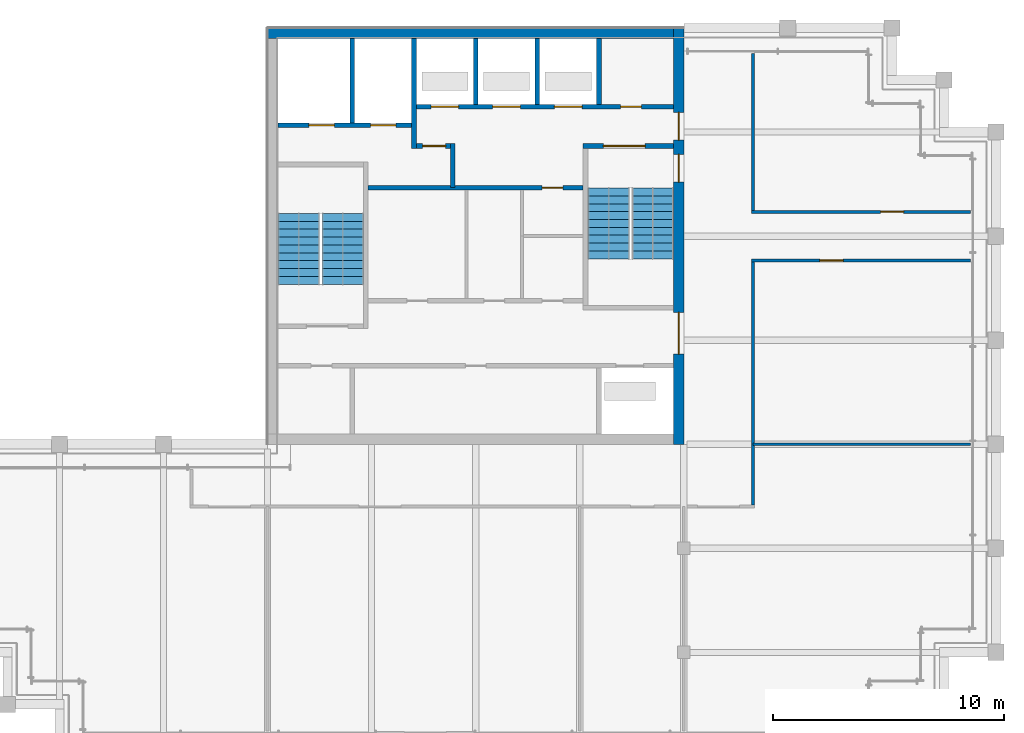
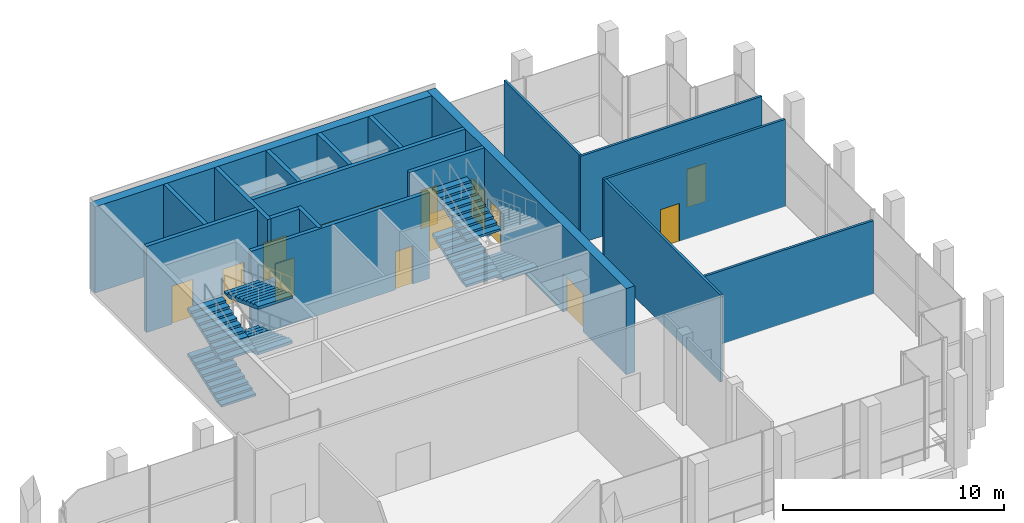
# One storey, part 12 of 14: 18 walls, 14 doors, 7 stair flights, 14 openings, 2 elements without a shape of their own.
"""IFC4 building model written with IfcOpenShell, lengths in metres."""

from ifc_helpers import new_model, si_unit, direction, frame, frame_2d, origin, place, context, subcontext, project, spatial, polyline, rectangle, outline, extrude, material, layer, layer_set, type_object, element, fill, aggregate, save


model = new_model("IFC4")

# Units and contexts
model_context = context("Model", 3, precision=1e-05, world=origin(), true_north=direction((0.0, 1.0)))
body_context = subcontext(model_context, "Body", "Model", "MODEL_VIEW")
ifc_project = project(units=[si_unit("LENGTHUNIT", "METRE"), si_unit("AREAUNIT", "SQUARE_METRE"), si_unit("VOLUMEUNIT", "CUBIC_METRE"), si_unit("PLANEANGLEUNIT", "RADIAN"), si_unit("MASSUNIT", "GRAM", prefix="KILO")], contexts=[model_context])

# Site, building, storey
site_placement = place(None, origin())
site = spatial("IfcSite", under=ifc_project, at=site_placement, CompositionType="ELEMENT")
building_placement = place(site_placement, origin())
building = spatial("IfcBuilding", under=site, at=building_placement, Name="Altepetl Exchange Towers", CompositionType="ELEMENT")
storey_placement = place(building_placement, frame((0.0, 0.0, 269.60009765625)))
storey = spatial("IfcBuildingStorey", under=building, at=storey_placement, Name="L68 Observation gallery", CompositionType="ELEMENT", Elevation=269.60009765625)

# Wall, openings, doors
ifc_material_1 = material(Name="Concrete C70/85", Category="concrete")
ifc_layer_1 = layer(ifc_material_1, 0.449951171875)
ifc_layer_set_1 = layer_set([ifc_layer_1], Name="Concrete C70/85")
wall_type_1 = type_object("IfcWallType", Name="Core wall 450 reinforced concrete", PredefinedType="SHEAR", material=ifc_layer_set_1)
wall_1_placement = place(storey_placement, frame((58.27490234375, 40.5, 0.0), z_axis=(0.0, 0.0, 1.0), x_axis=(0.0, 1.0, 0.0)))
wall_1 = element("IfcWall", 1, at=wall_1_placement, inside=storey, type_object=wall_type_1, Name="wall:A:L68:K-coreE", PredefinedType="SHEAR", context=body_context, shape_type="SweptSolid", body=[
    extrude(rectangle(XDim=18.0, YDim=0.449951171875, at=frame_2d((9.0, 0.0))), origin(), (0.0, 0.0, 1.0), 4.75),
])
opening_1_placement = place(wall_1_placement, frame((13.14990234375, 0.0, 0.0)))
opening_1 = element("IfcOpeningElement", 2, at=opening_1_placement, cuts=wall_1, Name="Opening L68.A60", PredefinedType="OPENING", context=body_context, shape_type="SweptSolid", body=[
    extrude(rectangle(XDim=1.199951171875, YDim=2.10009765625, at=frame_2d((0.60009765625, 1.050048828125))), frame((0.0, 0.23486328125, 0.0), z_axis=(0.0, -1.0, 0.0), x_axis=(1.0, 0.0, 0.0)), (0.0, 0.0, 1.0), 0.469970703125),
])
opening_2_placement = place(wall_1_placement, frame((3.89990234375, 0.0, 0.0)))
opening_2 = element("IfcOpeningElement", 3, at=opening_2_placement, cuts=wall_1, Name="Opening L68.A61", PredefinedType="OPENING", context=body_context, shape_type="SweptSolid", body=[
    extrude(rectangle(XDim=1.800048828125, YDim=2.10009765625, at=frame_2d((0.89990234375, 1.050048828125))), frame((0.0, 0.23486328125, 0.0), z_axis=(0.0, -1.0, 0.0), x_axis=(1.0, 0.0, 0.0)), (0.0, 0.0, 1.0), 0.469970703125),
])
opening_3_placement = place(wall_1_placement, frame((11.340087890625, 0.0, 0.0)))
opening_3 = element("IfcOpeningElement", 4, at=opening_3_placement, cuts=wall_1, Name="Opening L68.A64", PredefinedType="OPENING", context=body_context, shape_type="SweptSolid", body=[
    extrude(rectangle(XDim=1.199951171875, YDim=2.10009765625, at=frame_2d((0.60009765625, 1.050048828125))), frame((0.0, 0.23486328125, 0.0), z_axis=(0.0, -1.0, 0.0), x_axis=(1.0, 0.0, 0.0)), (0.0, 0.0, 1.0), 0.469970703125),
])
ifc_material_2 = material(Name="Steel and timber fire door", Category="steel")
door_type_1 = type_object("IfcDoorType", Name="Fire door 1200 x 2100 lobby entry", OperationType="SINGLE_SWING_LEFT", PredefinedType="DOOR", material=ifc_material_2)
door_1_placement = place(opening_1_placement, origin())
door_1 = element("IfcDoor", 5, at=door_1_placement, inside=storey, type_object=door_type_1, Name="door:A:L68:K-dLNE", OperationType="SINGLE_SWING_RIGHT", OverallHeight=2.10009765625, OverallWidth=1.199951171875, PredefinedType="DOOR", context=body_context, shape_type="SweptSolid", body=[
    extrude(rectangle(XDim=1.199951171875, YDim=2.10009765625, at=frame_2d((0.60009765625, 1.050048828125))), frame((0.0, 0.02490234375, 0.0), z_axis=(0.0, -1.0, 0.0), x_axis=(1.0, 0.0, 0.0)), (0.0, 0.0, 1.0), 0.050048828125),
])
fill(opening_1, door_1)
door_type_2 = type_object("IfcDoorType", Name="Fire door 1200 x 2100 stair exit", OperationType="SINGLE_SWING_LEFT", PredefinedType="DOOR", material=ifc_material_2)
door_2_placement = place(opening_3_placement, origin())
door_2 = element("IfcDoor", 6, at=door_2_placement, inside=storey, type_object=door_type_2, Name="door:A:L68:K-dS2x", OperationType="SINGLE_SWING_RIGHT", OverallHeight=2.10009765625, OverallWidth=1.199951171875, PredefinedType="DOOR", context=body_context, shape_type="SweptSolid", body=[
    extrude(rectangle(XDim=1.199951171875, YDim=2.10009765625, at=frame_2d((0.60009765625, 1.050048828125))), frame((0.0, 0.02490234375, 0.0), z_axis=(0.0, -1.0, 0.0), x_axis=(1.0, 0.0, 0.0)), (0.0, 0.0, 1.0), 0.050048828125),
])
fill(opening_3, door_2)
door_type_3 = type_object("IfcDoorType", Name="Fire door 1800 x 2100 lobby entry", OperationType="DOUBLE_DOOR_SINGLE_SWING", PredefinedType="DOOR", material=ifc_material_2)
door_3_placement = place(opening_2_placement, origin())
door_3 = element("IfcDoor", 7, at=door_3_placement, inside=storey, type_object=door_type_3, Name="door:A:L68:K-dLSE", OperationType="DOUBLE_DOOR_SINGLE_SWING", OverallHeight=2.10009765625, OverallWidth=1.800048828125, PredefinedType="DOOR", context=body_context, shape_type="SweptSolid", body=[
    extrude(rectangle(XDim=1.800048828125, YDim=2.10009765625, at=frame_2d((0.89990234375, 1.050048828125))), frame((0.0, 0.02490234375, 0.0), z_axis=(0.0, -1.0, 0.0), x_axis=(1.0, 0.0, 0.0)), (0.0, 0.0, 1.0), 0.050048828125),
])
fill(opening_2, door_3)

# Walls
ifc_layer_2 = layer(ifc_material_1, 0.449951171875)
ifc_layer_set_2 = layer_set([ifc_layer_2], Name="Concrete C70/85")
wall_type_2 = type_object("IfcWallType", Name="Core wall 450 reinforced concrete external", PredefinedType="SHEAR", material=ifc_layer_set_2)
wall_2_placement = place(storey_placement, frame((40.5, 58.27490234375, 0.0)))
element("IfcWall", 8, at=wall_2_placement, inside=storey, type_object=wall_type_2, Name="wall:A:L68:K-coreN", PredefinedType="SHEAR", context=body_context, shape_type="SweptSolid", body=[
    extrude(rectangle(XDim=17.550048828125, YDim=0.449951171875, at=frame_2d((8.77490234375, 0.0))), origin(), (0.0, 0.0, 1.0), 4.75),
])
ifc_material_3 = material(Name="Concrete blockwork", Category="masonry")
ifc_layer_3 = layer(ifc_material_3, 0.199951171875)
ifc_layer_set_3 = layer_set([ifc_layer_3], Name="Concrete blockwork")
wall_type_3 = type_object("IfcWallType", Name="Lobby wall 200 blockwork", PredefinedType="PARTITIONING", material=ifc_layer_set_3)
wall_3_placement = place(storey_placement, frame((48.5, 51.60009765625, 0.0), z_axis=(0.0, 0.0, 1.0), x_axis=(0.0, 1.0, 0.0)))
element("IfcWall", 9, at=wall_3_placement, inside=storey, type_object=wall_type_3, Name="wall:A:L68:K-ffE", PredefinedType="PARTITIONING", context=body_context, shape_type="SweptSolid", body=[
    extrude(rectangle(XDim=1.89990234375, YDim=0.199951171875, at=frame_2d((0.949951171875, 0.0))), origin(), (0.0, 0.0, 1.0), 4.75),
])

# Wall, opening, door
wall_4_placement = place(storey_placement, frame((46.933349609375, 53.39990234375, 0.0)))
wall_4 = element("IfcWall", 10, at=wall_4_placement, inside=storey, type_object=wall_type_3, Name="wall:A:L68:K-ffN", PredefinedType="PARTITIONING", context=body_context, shape_type="SweptSolid", body=[
    extrude(rectangle(XDim=1.466552734375, YDim=0.199951171875, at=frame_2d((0.7333984375, 0.0))), origin(), (0.0, 0.0, 1.0), 4.75),
])
opening_4_placement = place(wall_4_placement, frame((0.2666015625, 0.0, 0.0)))
opening_4 = element("IfcOpeningElement", 11, at=opening_4_placement, cuts=wall_4, Name="Opening L68.A65", PredefinedType="OPENING", context=body_context, shape_type="SweptSolid", body=[
    extrude(rectangle(XDim=1.0, YDim=2.10009765625, at=frame_2d((0.5, 1.050048828125))), frame((0.0, 0.10986328125, 0.0), z_axis=(0.0, -1.0, 0.0), x_axis=(1.0, 0.0, 0.0)), (0.0, 0.0, 1.0), 0.219970703125),
])
door_type_4 = type_object("IfcDoorType", Name="Fire door 1000 x 2100 stair and lobby", OperationType="SINGLE_SWING_LEFT", PredefinedType="DOOR", material=ifc_material_2)
door_4_placement = place(opening_4_placement, frame((1.0, 0.0, 0.0), x_axis=(-1.0, 0.0, 0.0)))
door_4 = element("IfcDoor", 12, at=door_4_placement, inside=storey, type_object=door_type_4, Name="door:A:L68:K-dffN", OperationType="SINGLE_SWING_RIGHT", OverallHeight=2.10009765625, OverallWidth=1.0, PredefinedType="DOOR", context=body_context, shape_type="SweptSolid", body=[
    extrude(rectangle(XDim=1.0, YDim=2.10009765625, at=frame_2d((0.5, 1.050048828125))), frame((0.0, 0.02490234375, 0.0), z_axis=(0.0, -1.0, 0.0), x_axis=(1.0, 0.0, 0.0)), (0.0, 0.0, 1.0), 0.050048828125),
])
fill(opening_4, door_4)

wall_5_placement = place(storey_placement, frame((44.85009765625, 51.60009765625, 0.0)))
wall_5 = element("IfcWall", 13, at=wall_5_placement, inside=storey, type_object=wall_type_3, Name="wall:A:L68:K-zoneN", PredefinedType="PARTITIONING", context=body_context, shape_type="SweptSolid", body=[
    extrude(rectangle(XDim=9.2998046875, YDim=0.199951171875, at=frame_2d((4.64990234375, 0.0))), origin(), (0.0, 0.0, 1.0), 4.75),
])
opening_5_placement = place(wall_5_placement, frame((7.52490234375, 0.0, 0.0)))
opening_5 = element("IfcOpeningElement", 14, at=opening_5_placement, cuts=wall_5, Name="Opening L68.A71", PredefinedType="OPENING", context=body_context, shape_type="SweptSolid", body=[
    extrude(rectangle(XDim=0.89990234375, YDim=2.10009765625, at=frame_2d((0.449951171875, 1.050048828125))), frame((0.0, 0.10986328125, 0.0), z_axis=(0.0, -1.0, 0.0), x_axis=(1.0, 0.0, 0.0)), (0.0, 0.0, 1.0), 0.219970703125),
])
door_type_5 = type_object("IfcDoorType", Name="Fire door 900 x 2100 service room", OperationType="SINGLE_SWING_LEFT", PredefinedType="DOOR", material=ifc_material_2)
door_5_placement = place(opening_5_placement, frame((0.89990234375, 0.0, 0.0), x_axis=(-1.0, 0.0, 0.0)))
door_5 = element("IfcDoor", 15, at=door_5_placement, inside=storey, type_object=door_type_5, Name="door:A:L68:K-dz3", OperationType="SINGLE_SWING_LEFT", OverallHeight=2.10009765625, OverallWidth=0.89990234375, PredefinedType="DOOR", context=body_context, shape_type="SweptSolid", body=[
    extrude(rectangle(XDim=0.89990234375, YDim=2.10009765625, at=frame_2d((0.449951171875, 1.050048828125))), frame((0.0, 0.02490234375, 0.0), z_axis=(0.0, -1.0, 0.0), x_axis=(1.0, 0.0, 0.0)), (0.0, 0.0, 1.0), 0.050048828125),
])
fill(opening_5, door_5)

# Wall
ifc_material_4 = material(Name="Gypsum board on steel studs", Category="steel")
ifc_layer_4 = layer(ifc_material_4, 0.125)
ifc_layer_set_4 = layer_set([ifc_layer_4], Name="Gypsum board on steel studs")
wall_type_4 = type_object("IfcWallType", Name="Partition 125 gypsum board on steel studs", PredefinedType="PARTITIONING", material=ifc_layer_set_4)
wall_6_placement = place(storey_placement, frame((61.5, 40.5, 0.0)))
element("IfcWall", 16, at=wall_6_placement, inside=storey, type_object=wall_type_4, Name="wall:A:L68:P02", PredefinedType="PARTITIONING", context=body_context, shape_type="SweptSolid", body=[
    extrude(rectangle(XDim=9.39990234375, YDim=0.125, at=frame_2d((4.699951171875, 0.0))), origin(), (0.0, 0.0, 1.0), 4.0419921875),
])

# Wall, opening, door
wall_7_placement = place(storey_placement, frame((61.4375, 48.449951171875, 0.0)))
wall_7 = element("IfcWall", 17, at=wall_7_placement, inside=storey, type_object=wall_type_4, Name="wall:A:L68:P03", PredefinedType="PARTITIONING", context=body_context, shape_type="SweptSolid", body=[
    extrude(rectangle(XDim=9.46240234375, YDim=0.125, at=frame_2d((4.731201171875, 0.0))), origin(), (0.0, 0.0, 1.0), 4.7998046875),
])
opening_6_placement = place(wall_7_placement, frame((2.950439453125, 0.0, 0.0)))
opening_6 = element("IfcOpeningElement", 18, at=opening_6_placement, cuts=wall_7, Name="Opening L68.A05", PredefinedType="OPENING", context=body_context, shape_type="SweptSolid", body=[
    extrude(rectangle(XDim=1.0, YDim=2.10009765625, at=frame_2d((0.5, 1.050048828125))), frame((0.0, 0.072509765625, 0.0), z_axis=(0.0, -1.0, 0.0), x_axis=(1.0, 0.0, 0.0)), (0.0, 0.0, 1.0), 0.14501953125),
])
door_type_6 = type_object("IfcDoorType", Name="Fire door 1000 x 2100 single leaf", OperationType="SINGLE_SWING_LEFT", PredefinedType="DOOR", material=ifc_material_2)
door_6_placement = place(opening_6_placement, frame((1.0, 0.0, 0.0), x_axis=(-1.0, 0.0, 0.0)))
door_6 = element("IfcDoor", 19, at=door_6_placement, inside=storey, type_object=door_type_6, Name="door:A:L68:05", OperationType="SINGLE_SWING_LEFT", OverallHeight=2.10009765625, OverallWidth=1.0, PredefinedType="DOOR", context=body_context, shape_type="SweptSolid", body=[
    extrude(rectangle(XDim=1.0, YDim=2.10009765625, at=frame_2d((0.5, 1.050048828125))), frame((0.0, 0.02490234375, 0.0), z_axis=(0.0, -1.0, 0.0), x_axis=(1.0, 0.0, 0.0)), (0.0, 0.0, 1.0), 0.050048828125),
])
fill(opening_6, door_6)

wall_8_placement = place(storey_placement, frame((61.4375, 50.550048828125, 0.0)))
wall_8 = element("IfcWall", 20, at=wall_8_placement, inside=storey, type_object=wall_type_4, Name="wall:A:L68:P04", PredefinedType="PARTITIONING", context=body_context, shape_type="SweptSolid", body=[
    extrude(rectangle(XDim=9.46240234375, YDim=0.125, at=frame_2d((4.731201171875, 0.0))), origin(), (0.0, 0.0, 1.0), 4.7998046875),
])
opening_7_placement = place(wall_8_placement, frame((5.575439453125, 0.0, 0.0)))
opening_7 = element("IfcOpeningElement", 21, at=opening_7_placement, cuts=wall_8, Name="Opening L68.A06", PredefinedType="OPENING", context=body_context, shape_type="SweptSolid", body=[
    extrude(rectangle(XDim=1.0, YDim=2.10009765625, at=frame_2d((0.5, 1.050048828125))), frame((0.0, 0.072509765625, 0.0), z_axis=(0.0, -1.0, 0.0), x_axis=(1.0, 0.0, 0.0)), (0.0, 0.0, 1.0), 0.14501953125),
])
door_7_placement = place(opening_7_placement, origin())
door_7 = element("IfcDoor", 22, at=door_7_placement, inside=storey, type_object=door_type_6, Name="door:A:L68:06", OperationType="SINGLE_SWING_RIGHT", OverallHeight=2.10009765625, OverallWidth=1.0, PredefinedType="DOOR", context=body_context, shape_type="SweptSolid", body=[
    extrude(rectangle(XDim=1.0, YDim=2.10009765625, at=frame_2d((0.5, 1.050048828125))), frame((0.0, 0.02490234375, 0.0), z_axis=(0.0, -1.0, 0.0), x_axis=(1.0, 0.0, 0.0)), (0.0, 0.0, 1.0), 0.050048828125),
])
fill(opening_7, door_7)

# Walls
wall_9_placement = place(storey_placement, frame((61.5, 37.862548828125, 0.0), z_axis=(0.0, 0.0, 1.0), x_axis=(0.0, 1.0, 0.0)))
element("IfcWall", 23, at=wall_9_placement, inside=storey, type_object=wall_type_4, Name="wall:A:L68:P11", PredefinedType="PARTITIONING", context=body_context, shape_type="SweptSolid", body=[
    extrude(rectangle(XDim=10.52490234375, YDim=0.125, at=frame_2d((5.262451171875, 0.0))), origin(), (0.0, 0.0, 1.0), 4.7998046875),
])
wall_10_placement = place(storey_placement, frame((61.5, 50.612548828125, 0.0), z_axis=(0.0, 0.0, 1.0), x_axis=(0.0, 1.0, 0.0)))
element("IfcWall", 24, at=wall_10_placement, inside=storey, type_object=wall_type_4, Name="wall:A:L68:P12", PredefinedType="PARTITIONING", context=body_context, shape_type="SweptSolid", body=[
    extrude(rectangle(XDim=6.787353515625, YDim=0.125, at=frame_2d((3.3935546875, 0.0))), origin(), (0.0, 0.0, 1.0), 4.7998046875),
])
ifc_material_5 = material(Name="Concrete C40/50", Category="concrete")
ifc_layer_5 = layer(ifc_material_5, 0.199951171875)
ifc_layer_set_5 = layer_set([ifc_layer_5], Name="Concrete C40/50")
wall_type_5 = type_object("IfcWallType", Name="Shaft wall 200 reinforced concrete", PredefinedType="SHEAR", material=ifc_layer_set_5)
wall_11_placement = place(storey_placement, frame((44.166748046875, 58.050048828125, 0.0), z_axis=(0.0, 0.0, 1.0), x_axis=(0.0, -1.0, 0.0)))
element("IfcWall", 25, at=wall_11_placement, inside=storey, type_object=wall_type_5, Name="wall:A:L68:K-divN1", PredefinedType="SHEAR", context=body_context, shape_type="SweptSolid", body=[
    extrude(rectangle(XDim=3.650146484375, YDim=0.199951171875, at=frame_2d((1.8251953125, 0.0))), origin(), (0.0, 0.0, 1.0), 4.75),
])
wall_12_placement = place(storey_placement, frame((46.833251953125, 58.050048828125, 0.0), z_axis=(0.0, 0.0, 1.0), x_axis=(0.0, -1.0, 0.0)))
element("IfcWall", 26, at=wall_12_placement, inside=storey, type_object=wall_type_5, Name="wall:A:L68:K-divN2", PredefinedType="SHEAR", context=body_context, shape_type="SweptSolid", body=[
    extrude(rectangle(XDim=4.75, YDim=0.199951171875, at=frame_2d((2.375, 0.0))), origin(), (0.0, 0.0, 1.0), 4.75),
])
for number, where, z_axis, x_axis, name in (
    (27, (49.5, 58.050048828125, 0.0), (0.0, 0.0, 1.0), (0.0, -1.0, 0.0), "wall:A:L68:K-divN3"),
    (28, (52.166748046875, 58.050048828125, 0.0), (0.0, 0.0, 1.0), (0.0, -1.0, 0.0), "wall:A:L68:K-divN4"),
    (29, (54.833251953125, 58.050048828125, 0.0), (0.0, 0.0, 1.0), (0.0, -1.0, 0.0), "wall:A:L68:K-divN5"),
):
    element("IfcWall", number, at=place(storey_placement, frame(where, z_axis=z_axis, x_axis=x_axis)), inside=storey, type_object=wall_type_5, Name=name, PredefinedType="SHEAR", context=body_context, shape_type="SweptSolid", body=[
        extrude(rectangle(XDim=2.85009765625, YDim=0.199951171875, at=frame_2d((1.425048828125, 0.0))), origin(), (0.0, 0.0, 1.0), 4.75),
    ])

# Wall, openings, doors
wall_13_placement = place(storey_placement, frame((46.933349609375, 55.10009765625, 0.0)))
wall_13 = element("IfcWall", 30, at=wall_13_placement, inside=storey, type_object=wall_type_5, Name="wall:A:L68:K-frontNb", PredefinedType="SHEAR", context=body_context, shape_type="SweptSolid", body=[
    extrude(rectangle(XDim=11.11669921875, YDim=0.199951171875, at=frame_2d((5.558349609375, 0.0))), origin(), (0.0, 0.0, 1.0), 4.75),
])
opening_8_placement = place(wall_13_placement, frame((8.83349609375, 0.0, 0.0)))
opening_8 = element("IfcOpeningElement", 31, at=opening_8_placement, cuts=wall_13, Name="Opening L68.A66", PredefinedType="OPENING", context=body_context, shape_type="SweptSolid", body=[
    extrude(rectangle(XDim=0.89990234375, YDim=2.10009765625, at=frame_2d((0.449951171875, 1.050048828125))), frame((0.0, 0.10986328125, 0.0), z_axis=(0.0, -1.0, 0.0), x_axis=(1.0, 0.0, 0.0)), (0.0, 0.0, 1.0), 0.219970703125),
])
opening_9_placement = place(wall_13_placement, frame((0.63330078125, 0.0, 0.0)))
opening_9 = element("IfcOpeningElement", 32, at=opening_9_placement, cuts=wall_13, Name="Opening L68.A76", PredefinedType="OPENING", context=body_context, shape_type="SweptSolid", body=[
    extrude(rectangle(XDim=1.199951171875, YDim=2.10009765625, at=frame_2d((0.60009765625, 1.050048828125))), frame((0.0, 0.10986328125, 0.0), z_axis=(0.0, -1.0, 0.0), x_axis=(1.0, 0.0, 0.0)), (0.0, 0.0, 1.0), 0.219970703125),
])
opening_10_placement = place(wall_13_placement, frame((3.300048828125, 0.0, 0.0)))
opening_10 = element("IfcOpeningElement", 33, at=opening_10_placement, cuts=wall_13, Name="Opening L68.A77", PredefinedType="OPENING", context=body_context, shape_type="SweptSolid", body=[
    extrude(rectangle(XDim=1.199951171875, YDim=2.10009765625, at=frame_2d((0.60009765625, 1.050048828125))), frame((0.0, 0.10986328125, 0.0), z_axis=(0.0, -1.0, 0.0), x_axis=(1.0, 0.0, 0.0)), (0.0, 0.0, 1.0), 0.219970703125),
])
opening_11_placement = place(wall_13_placement, frame((5.966796875, 0.0, 0.0)))
opening_11 = element("IfcOpeningElement", 34, at=opening_11_placement, cuts=wall_13, Name="Opening L68.A78", PredefinedType="OPENING", context=body_context, shape_type="SweptSolid", body=[
    extrude(rectangle(XDim=1.199951171875, YDim=2.10009765625, at=frame_2d((0.60009765625, 1.050048828125))), frame((0.0, 0.10986328125, 0.0), z_axis=(0.0, -1.0, 0.0), x_axis=(1.0, 0.0, 0.0)), (0.0, 0.0, 1.0), 0.219970703125),
])
door_8_placement = place(opening_8_placement, origin())
door_8 = element("IfcDoor", 35, at=door_8_placement, inside=storey, type_object=door_type_5, Name="door:A:L68:K-driser", OperationType="SINGLE_SWING_RIGHT", OverallHeight=2.10009765625, OverallWidth=0.89990234375, PredefinedType="DOOR", context=body_context, shape_type="SweptSolid", body=[
    extrude(rectangle(XDim=0.89990234375, YDim=2.10009765625, at=frame_2d((0.449951171875, 1.050048828125))), frame((0.0, 0.02490234375, 0.0), z_axis=(0.0, -1.0, 0.0), x_axis=(1.0, 0.0, 0.0)), (0.0, 0.0, 1.0), 0.050048828125),
])
fill(opening_8, door_8)
ifc_material_6 = material(Name="Stainless steel", Category="steel")
door_type_7 = type_object("IfcDoorType", Name="Lift landing door 1200 x 2100", OperationType="SLIDING_TO_LEFT", PredefinedType="DOOR", material=ifc_material_6)
door_9_placement = place(opening_9_placement, origin())
door_9 = element("IfcDoor", 36, at=door_9_placement, inside=storey, type_object=door_type_7, Name="Landing door P5", OperationType="SLIDING_TO_LEFT", OverallHeight=2.10009765625, OverallWidth=1.199951171875, PredefinedType="DOOR", context=body_context, shape_type="SweptSolid", body=[
    extrude(rectangle(XDim=1.199951171875, YDim=2.10009765625, at=frame_2d((0.60009765625, 1.050048828125))), frame((0.0, 0.02490234375, 0.0), z_axis=(0.0, -1.0, 0.0), x_axis=(1.0, 0.0, 0.0)), (0.0, 0.0, 1.0), 0.050048828125),
])
fill(opening_9, door_9)
door_10_placement = place(opening_10_placement, origin())
door_10 = element("IfcDoor", 37, at=door_10_placement, inside=storey, type_object=door_type_7, Name="Landing door P6", OperationType="SLIDING_TO_LEFT", OverallHeight=2.10009765625, OverallWidth=1.199951171875, PredefinedType="DOOR", context=body_context, shape_type="SweptSolid", body=[
    extrude(rectangle(XDim=1.199951171875, YDim=2.10009765625, at=frame_2d((0.60009765625, 1.050048828125))), frame((0.0, 0.02490234375, 0.0), z_axis=(0.0, -1.0, 0.0), x_axis=(1.0, 0.0, 0.0)), (0.0, 0.0, 1.0), 0.050048828125),
])
fill(opening_10, door_10)
door_11_placement = place(opening_11_placement, origin())
door_11 = element("IfcDoor", 38, at=door_11_placement, inside=storey, type_object=door_type_7, Name="Landing door P7", OperationType="SLIDING_TO_LEFT", OverallHeight=2.10009765625, OverallWidth=1.199951171875, PredefinedType="DOOR", context=body_context, shape_type="SweptSolid", body=[
    extrude(rectangle(XDim=1.199951171875, YDim=2.10009765625, at=frame_2d((0.60009765625, 1.050048828125))), frame((0.0, 0.02490234375, 0.0), z_axis=(0.0, -1.0, 0.0), x_axis=(1.0, 0.0, 0.0)), (0.0, 0.0, 1.0), 0.050048828125),
])
fill(opening_11, door_11)

wall_14_placement = place(storey_placement, frame((40.949951171875, 54.300048828125, 0.0)))
wall_14 = element("IfcWall", 39, at=wall_14_placement, inside=storey, type_object=wall_type_5, Name="wall:A:L68:K-frontNd", PredefinedType="SHEAR", context=body_context, shape_type="SweptSolid", body=[
    extrude(rectangle(XDim=5.783447265625, YDim=0.199951171875, at=frame_2d((2.8916015625, 0.0))), origin(), (0.0, 0.0, 1.0), 4.75),
])
opening_12_placement = place(wall_14_placement, frame((1.333251953125, 0.0, 0.0)))
opening_12 = element("IfcOpeningElement", 40, at=opening_12_placement, cuts=wall_14, Name="Opening L68.A73", PredefinedType="OPENING", context=body_context, shape_type="SweptSolid", body=[
    extrude(rectangle(XDim=1.10009765625, YDim=2.10009765625, at=frame_2d((0.550048828125, 1.050048828125))), frame((0.0, 0.10986328125, 0.0), z_axis=(0.0, -1.0, 0.0), x_axis=(1.0, 0.0, 0.0)), (0.0, 0.0, 1.0), 0.219970703125),
])
opening_13_placement = place(wall_14_placement, frame((4.0, 0.0, 0.0)))
opening_13 = element("IfcOpeningElement", 41, at=opening_13_placement, cuts=wall_14, Name="Opening L68.A74", PredefinedType="OPENING", context=body_context, shape_type="SweptSolid", body=[
    extrude(rectangle(XDim=1.10009765625, YDim=2.10009765625, at=frame_2d((0.550048828125, 1.050048828125))), frame((0.0, 0.10986328125, 0.0), z_axis=(0.0, -1.0, 0.0), x_axis=(1.0, 0.0, 0.0)), (0.0, 0.0, 1.0), 0.219970703125),
])
door_type_8 = type_object("IfcDoorType", Name="Lift landing door 1100 x 2100", OperationType="SLIDING_TO_LEFT", PredefinedType="DOOR", material=ifc_material_6)
door_12_placement = place(opening_12_placement, origin())
door_12 = element("IfcDoor", 42, at=door_12_placement, inside=storey, type_object=door_type_8, Name="Landing door FFL1", OperationType="SLIDING_TO_LEFT", OverallHeight=2.10009765625, OverallWidth=1.10009765625, PredefinedType="DOOR", context=body_context, shape_type="SweptSolid", body=[
    extrude(rectangle(XDim=1.10009765625, YDim=2.10009765625, at=frame_2d((0.550048828125, 1.050048828125))), frame((0.0, 0.02490234375, 0.0), z_axis=(0.0, -1.0, 0.0), x_axis=(1.0, 0.0, 0.0)), (0.0, 0.0, 1.0), 0.050048828125),
])
fill(opening_12, door_12)
door_13_placement = place(opening_13_placement, origin())
door_13 = element("IfcDoor", 43, at=door_13_placement, inside=storey, type_object=door_type_8, Name="Landing door FFL2", OperationType="SLIDING_TO_LEFT", OverallHeight=2.10009765625, OverallWidth=1.10009765625, PredefinedType="DOOR", context=body_context, shape_type="SweptSolid", body=[
    extrude(rectangle(XDim=1.10009765625, YDim=2.10009765625, at=frame_2d((0.550048828125, 1.050048828125))), frame((0.0, 0.02490234375, 0.0), z_axis=(0.0, -1.0, 0.0), x_axis=(1.0, 0.0, 0.0)), (0.0, 0.0, 1.0), 0.050048828125),
])
fill(opening_13, door_13)

# Wall, opening, door
ifc_layer_6 = layer(ifc_material_5, 0.199951171875)
ifc_layer_set_6 = layer_set([ifc_layer_6], Name="Concrete C40/50")
wall_type_6 = type_object("IfcWallType", Name="Stair wall 200 reinforced concrete", PredefinedType="SHEAR", material=ifc_layer_set_6)
wall_15_placement = place(storey_placement, frame((54.14990234375, 53.39990234375, 0.0)))
wall_15 = element("IfcWall", 44, at=wall_15_placement, inside=storey, type_object=wall_type_6, Name="wall:A:L68:K-stS2N", PredefinedType="SHEAR", context=body_context, shape_type="SweptSolid", body=[
    extrude(rectangle(XDim=3.900146484375, YDim=0.199951171875, at=frame_2d((1.9501953125, 0.0))), origin(), (0.0, 0.0, 1.0), 4.75),
])
opening_14_placement = place(wall_15_placement, frame((0.875, 0.0, 0.0)))
opening_14 = element("IfcOpeningElement", 45, at=opening_14_placement, cuts=wall_15, Name="Opening L68.A63", PredefinedType="OPENING", context=body_context, shape_type="SweptSolid", body=[
    extrude(rectangle(XDim=1.800048828125, YDim=2.10009765625, at=frame_2d((0.89990234375, 1.050048828125))), frame((0.0, 0.10986328125, 0.0), z_axis=(0.0, -1.0, 0.0), x_axis=(1.0, 0.0, 0.0)), (0.0, 0.0, 1.0), 0.219970703125),
])
door_type_9 = type_object("IfcDoorType", Name="Fire door 1800 x 2100 stair", OperationType="DOUBLE_DOOR_SINGLE_SWING", PredefinedType="DOOR", material=ifc_material_2)
door_14_placement = place(opening_14_placement, frame((1.800048828125, 0.0, 0.0), x_axis=(-1.0, 0.0, 0.0)))
door_14 = element("IfcDoor", 46, at=door_14_placement, inside=storey, type_object=door_type_9, Name="door:A:L68:K-dS2in", OperationType="DOUBLE_DOOR_SINGLE_SWING", OverallHeight=2.10009765625, OverallWidth=1.800048828125, PredefinedType="DOOR", context=body_context, shape_type="SweptSolid", body=[
    extrude(rectangle(XDim=1.800048828125, YDim=2.10009765625, at=frame_2d((0.89990234375, 1.050048828125))), frame((0.0, 0.02490234375, 0.0), z_axis=(0.0, -1.0, 0.0), x_axis=(1.0, 0.0, 0.0)), (0.0, 0.0, 1.0), 0.050048828125),
])
fill(opening_14, door_14)

# Stair, stair flights
stair_type = type_object("IfcStairType", Name="Exit stair 1800 flights dogleg", PredefinedType="HALF_TURN_STAIR", material=ifc_material_5)
stair_1_placement = place(storey_placement, origin())
stair_1 = element("IfcStair", 47, at=stair_1_placement, inside=storey, type_object=stair_type, Name="Exit stair 1", PredefinedType="HALF_TURN_STAIR")
stair_flight_type = type_object("IfcStairFlightType", Name="Stair flight 1800 wide", PredefinedType="STRAIGHT", material=ifc_material_5)
stair_flight_1_placement = place(storey_placement, frame((41.85009765625, 47.419921875, 0.0), z_axis=(0.0, 0.0, 1.0), x_axis=(0.0, 1.0, 0.0)))
stair_flight_1 = element("IfcStairFlight", 48, at=stair_flight_1_placement, type_object=stair_flight_type, Name="ST-A1j flight 1", NumberOfRisers=10, NumberOfTreads=9, PredefinedType="STRAIGHT", RiserHeight=0.125, TreadLength=0.34, context=body_context, shape_type="SweptSolid", body=[
    extrude(outline(polyline([(0.0, 0.0), (0.0, 0.125), (0.340087890625, 0.125), (0.340087890625, 0.25), (0.679931640625, 0.25), (0.679931640625, 0.375), (1.02001953125, 0.375), (1.02001953125, 0.5), (1.360107421875, 0.5), (1.360107421875, 0.625), (1.699951171875, 0.625), (1.699951171875, 0.75), (2.0400390625, 0.75), (2.0400390625, 0.875), (2.3798828125, 0.875), (2.3798828125, 1.0), (2.719970703125, 1.0), (2.719970703125, 1.125), (3.06005859375, 1.125), (3.06005859375, 1.25), (3.06005859375, 0.96533203125), (0.434326171875, 0.0), (0.0, 0.0)])), frame((0.0, 0.89990234375, 0.0), z_axis=(0.0, -1.0, 0.0), x_axis=(1.0, 0.0, 0.0)), (0.0, 0.0, 1.0), 1.800048828125),
])
stair_flight_2_placement = place(storey_placement, frame((43.75, 50.47998046875, 1.25), z_axis=(0.0, 0.0, 1.0), x_axis=(0.0, -1.0, 0.0)))
stair_flight_2 = element("IfcStairFlight", 49, at=stair_flight_2_placement, type_object=stair_flight_type, Name="ST-A1j flight 2", NumberOfRisers=10, NumberOfTreads=9, PredefinedType="STRAIGHT", RiserHeight=0.125, TreadLength=0.34, context=body_context, shape_type="SweptSolid", body=[
    extrude(outline(polyline([(0.0, 0.0), (0.0, 0.125), (0.340087890625, 0.125), (0.340087890625, 0.25), (0.679931640625, 0.25), (0.679931640625, 0.375), (1.02001953125, 0.375), (1.02001953125, 0.5), (1.360107421875, 0.5), (1.360107421875, 0.625), (1.699951171875, 0.625), (1.699951171875, 0.75), (2.0400390625, 0.75), (2.0400390625, 0.875), (2.3798828125, 0.875), (2.3798828125, 1.0), (2.719970703125, 1.0), (2.719970703125, 1.125), (3.06005859375, 1.125), (3.06005859375, 1.25), (3.06005859375, 0.96533203125), (0.434326171875, 0.0), (0.0, 0.0)])), frame((0.0, 0.89990234375, 0.0), z_axis=(0.0, -1.0, 0.0), x_axis=(1.0, 0.0, 0.0)), (0.0, 0.0, 1.0), 1.800048828125),
])
stair_flight_3_placement = place(storey_placement, frame((41.85009765625, 47.419921875, 2.5), z_axis=(0.0, 0.0, 1.0), x_axis=(0.0, 1.0, 0.0)))
stair_flight_3 = element("IfcStairFlight", 50, at=stair_flight_3_placement, type_object=stair_flight_type, Name="ST-A1j flight 3", NumberOfRisers=10, NumberOfTreads=9, PredefinedType="STRAIGHT", RiserHeight=0.125, TreadLength=0.34, context=body_context, shape_type="SweptSolid", body=[
    extrude(outline(polyline([(0.0, 0.0), (0.0, 0.125), (0.340087890625, 0.125), (0.340087890625, 0.25), (0.679931640625, 0.25), (0.679931640625, 0.375), (1.02001953125, 0.375), (1.02001953125, 0.5), (1.360107421875, 0.5), (1.360107421875, 0.625), (1.699951171875, 0.625), (1.699951171875, 0.75), (2.0400390625, 0.75), (2.0400390625, 0.875), (2.3798828125, 0.875), (2.3798828125, 1.0), (2.719970703125, 1.0), (2.719970703125, 1.125), (3.06005859375, 1.125), (3.06005859375, 1.25), (3.06005859375, 0.96533203125), (0.434326171875, 0.0), (0.0, 0.0)])), frame((0.0, 0.89990234375, 0.0), z_axis=(0.0, -1.0, 0.0), x_axis=(1.0, 0.0, 0.0)), (0.0, 0.0, 1.0), 1.800048828125),
])
stair_flight_4_placement = place(storey_placement, frame((43.75, 50.47998046875, 3.75), z_axis=(0.0, 0.0, 1.0), x_axis=(0.0, -1.0, 0.0)))
stair_flight_4 = element("IfcStairFlight", 51, at=stair_flight_4_placement, type_object=stair_flight_type, Name="ST-A1j flight 4", NumberOfRisers=10, NumberOfTreads=9, PredefinedType="STRAIGHT", RiserHeight=0.125, TreadLength=0.34, context=body_context, shape_type="SweptSolid", body=[
    extrude(outline(polyline([(0.0, 0.0), (0.0, 0.125), (0.340087890625, 0.125), (0.340087890625, 0.25), (0.679931640625, 0.25), (0.679931640625, 0.375), (1.02001953125, 0.375), (1.02001953125, 0.5), (1.360107421875, 0.5), (1.360107421875, 0.625), (1.699951171875, 0.625), (1.699951171875, 0.75), (2.0400390625, 0.75), (2.0400390625, 0.875), (2.3798828125, 0.875), (2.3798828125, 1.0), (2.719970703125, 1.0), (2.719970703125, 1.125), (3.06005859375, 1.125), (3.06005859375, 1.25), (3.06005859375, 0.96533203125), (0.434326171875, 0.0), (0.0, 0.0)])), frame((0.0, 0.89990234375, 0.0), z_axis=(0.0, -1.0, 0.0), x_axis=(1.0, 0.0, 0.0)), (0.0, 0.0, 1.0), 1.800048828125),
])
aggregate(stair_1, [stair_flight_1, stair_flight_2, stair_flight_3, stair_flight_4])

stair_2_placement = place(storey_placement, origin())
stair_2 = element("IfcStair", 52, at=stair_2_placement, inside=storey, type_object=stair_type, Name="Exit stair 2", PredefinedType="HALF_TURN_STAIR")
stair_flight_5_placement = place(storey_placement, frame((57.14990234375, 51.580078125, 0.0), z_axis=(0.0, 0.0, 1.0), x_axis=(0.0, -1.0, 0.0)))
stair_flight_5 = element("IfcStairFlight", 53, at=stair_flight_5_placement, type_object=stair_flight_type, Name="ST-A2j flight 1", NumberOfRisers=10, NumberOfTreads=9, PredefinedType="STRAIGHT", RiserHeight=0.125, TreadLength=0.34, context=body_context, shape_type="SweptSolid", body=[
    extrude(outline(polyline([(0.0, 0.0), (0.0, 0.125), (0.340087890625, 0.125), (0.340087890625, 0.25), (0.679931640625, 0.25), (0.679931640625, 0.375), (1.02001953125, 0.375), (1.02001953125, 0.5), (1.360107421875, 0.5), (1.360107421875, 0.625), (1.699951171875, 0.625), (1.699951171875, 0.75), (2.0400390625, 0.75), (2.0400390625, 0.875), (2.3798828125, 0.875), (2.3798828125, 1.0), (2.719970703125, 1.0), (2.719970703125, 1.125), (3.06005859375, 1.125), (3.06005859375, 1.25), (3.06005859375, 0.96533203125), (0.434326171875, 0.0), (0.0, 0.0)])), frame((0.0, 0.89990234375, 0.0), z_axis=(0.0, -1.0, 0.0), x_axis=(1.0, 0.0, 0.0)), (0.0, 0.0, 1.0), 1.800048828125),
])
stair_flight_6_placement = place(storey_placement, frame((55.25, 48.52001953125, 1.25), z_axis=(0.0, 0.0, 1.0), x_axis=(0.0, 1.0, 0.0)))
stair_flight_6 = element("IfcStairFlight", 54, at=stair_flight_6_placement, type_object=stair_flight_type, Name="ST-A2j flight 2", NumberOfRisers=10, NumberOfTreads=9, PredefinedType="STRAIGHT", RiserHeight=0.125, TreadLength=0.34, context=body_context, shape_type="SweptSolid", body=[
    extrude(outline(polyline([(0.0, 0.0), (0.0, 0.125), (0.340087890625, 0.125), (0.340087890625, 0.25), (0.679931640625, 0.25), (0.679931640625, 0.375), (1.02001953125, 0.375), (1.02001953125, 0.5), (1.360107421875, 0.5), (1.360107421875, 0.625), (1.699951171875, 0.625), (1.699951171875, 0.75), (2.0400390625, 0.75), (2.0400390625, 0.875), (2.3798828125, 0.875), (2.3798828125, 1.0), (2.719970703125, 1.0), (2.719970703125, 1.125), (3.06005859375, 1.125), (3.06005859375, 1.25), (3.06005859375, 0.96533203125), (0.434326171875, 0.0), (0.0, 0.0)])), frame((0.0, 0.89990234375, 0.0), z_axis=(0.0, -1.0, 0.0), x_axis=(1.0, 0.0, 0.0)), (0.0, 0.0, 1.0), 1.800048828125),
])
stair_flight_7_placement = place(storey_placement, frame((55.25, 48.52001953125, 3.75), z_axis=(0.0, 0.0, 1.0), x_axis=(0.0, 1.0, 0.0)))
stair_flight_7 = element("IfcStairFlight", 55, at=stair_flight_7_placement, type_object=stair_flight_type, Name="ST-A2j flight 4", NumberOfRisers=10, NumberOfTreads=9, PredefinedType="STRAIGHT", RiserHeight=0.125, TreadLength=0.34, context=body_context, shape_type="SweptSolid", body=[
    extrude(outline(polyline([(0.0, 0.0), (0.0, 0.125), (0.340087890625, 0.125), (0.340087890625, 0.25), (0.679931640625, 0.25), (0.679931640625, 0.375), (1.02001953125, 0.375), (1.02001953125, 0.5), (1.360107421875, 0.5), (1.360107421875, 0.625), (1.699951171875, 0.625), (1.699951171875, 0.75), (2.0400390625, 0.75), (2.0400390625, 0.875), (2.3798828125, 0.875), (2.3798828125, 1.0), (2.719970703125, 1.0), (2.719970703125, 1.125), (3.06005859375, 1.125), (3.06005859375, 1.25), (3.06005859375, 0.96533203125), (0.434326171875, 0.0), (0.0, 0.0)])), frame((0.0, 0.89990234375, 0.0), z_axis=(0.0, -1.0, 0.0), x_axis=(1.0, 0.0, 0.0)), (0.0, 0.0, 1.0), 1.800048828125),
])
aggregate(stair_2, [stair_flight_5, stair_flight_6, stair_flight_7])

save(model, "model.ifc")
